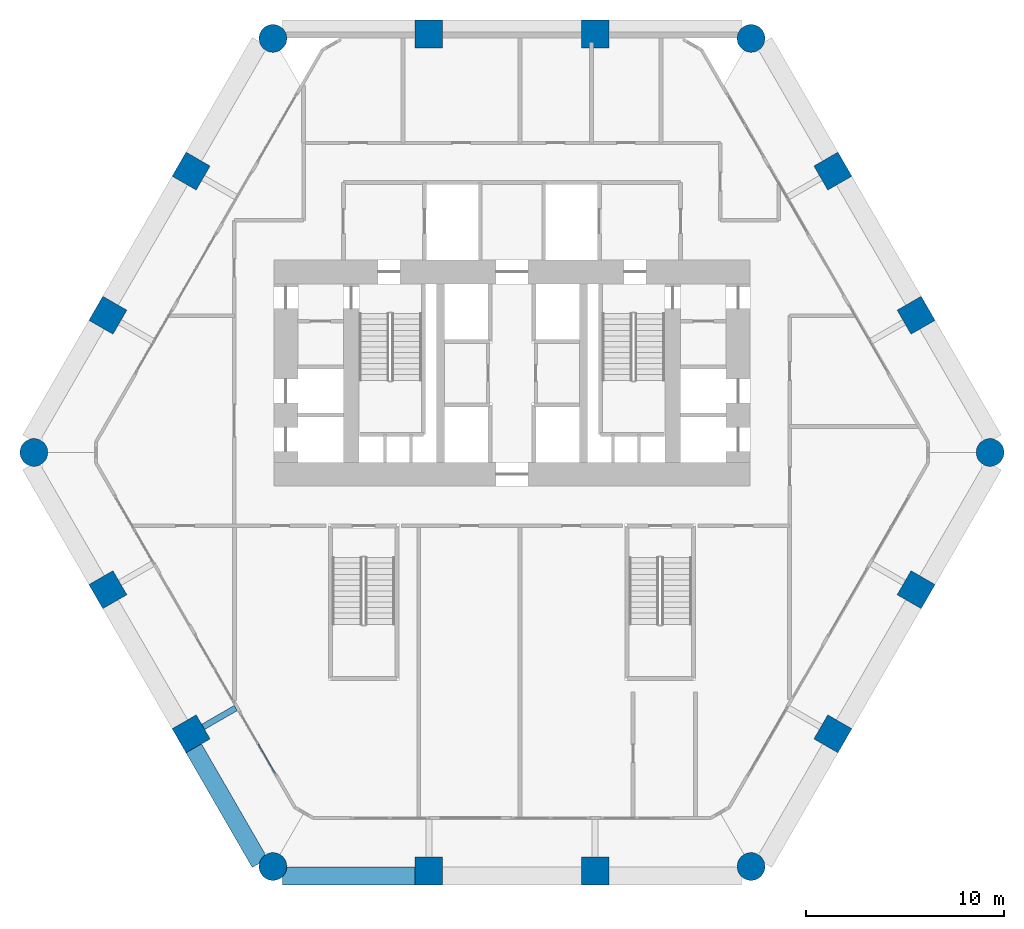
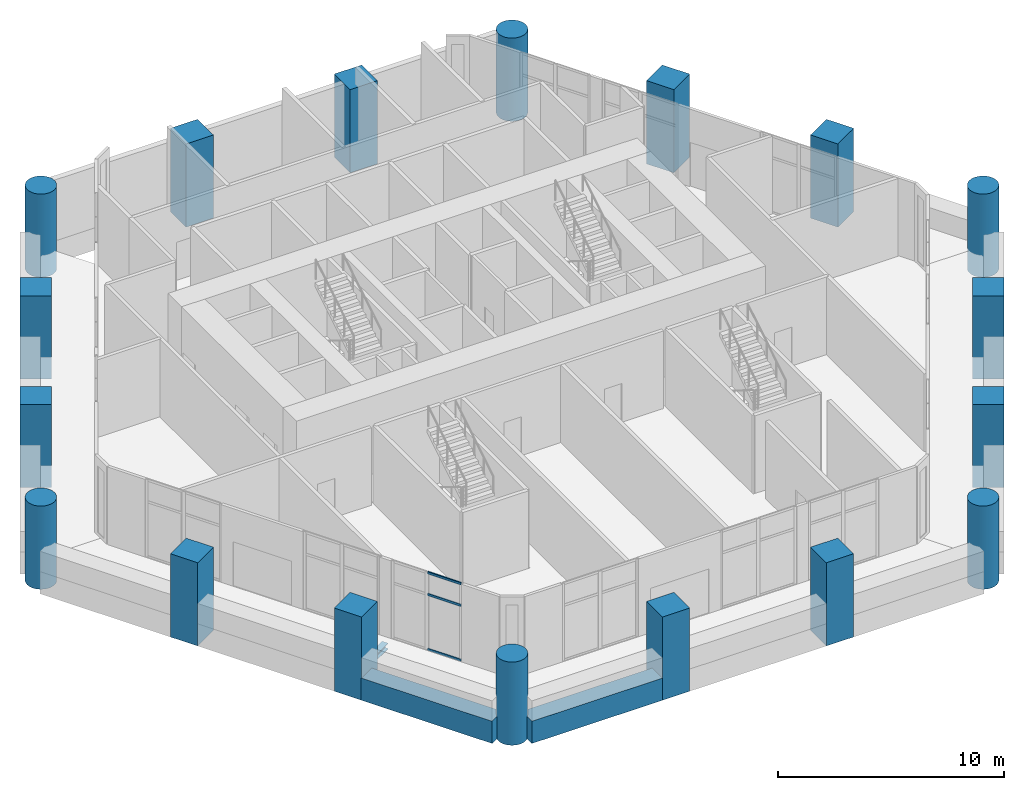
# One storey, part 1 of 18: 18 columns, 3 beams, 3 members, 1 element without a shape of its own.
"""IFC4 building model written with IfcOpenShell, lengths in metres."""

from ifc_helpers import new_model, si_unit, direction, frame, origin, origin_2d, place, context, subcontext, project, spatial, rectangle, hollow_rectangle, circle, i_section, extrude, material, material_profile, profile_set, type_object, element, aggregate, save


model = new_model("IFC4")

# Units and contexts
model_context = context("Model", 3, precision=1e-05, world=origin(), true_north=direction((0.0, 1.0)))
body_context = subcontext(model_context, "Body", "Model", "MODEL_VIEW")
ifc_project = project(units=[si_unit("LENGTHUNIT", "METRE"), si_unit("AREAUNIT", "SQUARE_METRE"), si_unit("VOLUMEUNIT", "CUBIC_METRE"), si_unit("PLANEANGLEUNIT", "RADIAN"), si_unit("MASSUNIT", "GRAM", prefix="KILO")], contexts=[model_context])

# Site, building, storey
site_placement = place(None, origin())
site = spatial("IfcSite", under=ifc_project, at=site_placement, CompositionType="ELEMENT")
building_placement = place(site_placement, origin())
building = spatial("IfcBuilding", under=site, at=building_placement, Name="Ostrander Bayou Hotel Tower", CompositionType="ELEMENT")
storey_placement = place(building_placement, frame((0.0, 0.0, 14.5)))
storey = spatial("IfcBuildingStorey", under=building, at=storey_placement, Name="L03", CompositionType="ELEMENT", Elevation=14.5)

# Columns
ifc_material_1 = material(Name="Concrete f'c 70 MPa", Category="concrete")
ifc_material_profile_1 = material_profile(ifc_material_1, circle(Radius=0.699951171875, at=origin_2d()))
ifc_profile_set_1 = profile_set([ifc_material_profile_1], Name="Concrete f'c 70 MPa")
column_type_1 = type_object("IfcColumnType", Name="C1 round column 1400 mm f'c 70 MPa", PredefinedType="COLUMN", material=ifc_profile_set_1)
for number, where, z_axis, x_axis, name in (
    (1, (-12.050537109375, 20.872314453125, -1.199951171875), (0.0, 0.0, 1.0), (1.0, 0.0, 0.0), "C1 L03 K0"),
    (2, (-24.101318359375, 0.0, -1.199951171875), (0.0, 0.0, 1.0), (1.0, 0.0, 0.0), "C1 L03 K1"),
    (3, (-12.050537109375, -20.872314453125, -1.199951171875), (0.0, 0.0, 1.0), (1.0, 0.0, 0.0), "C1 L03 K2"),
    (4, (12.050537109375, -20.872314453125, -1.199951171875), (0.0, 0.0, 1.0), (1.0, 0.0, 0.0), "C1 L03 K3"),
    (5, (24.101318359375, 0.0, -1.199951171875), (0.0, 0.0, 1.0), (1.0, 0.0, 0.0), "C1 L03 K4"),
    (6, (12.050537109375, 20.872314453125, -1.199951171875), (0.0, 0.0, 1.0), (1.0, 0.0, 0.0), "C1 L03 K5"),
):
    element("IfcColumn", number, at=place(storey_placement, frame(where, z_axis=z_axis, x_axis=x_axis)), inside=storey, type_object=column_type_1, Name=name, PredefinedType="COLUMN", context=body_context, shape_type="SweptSolid", body=[
        extrude(circle(Radius=0.699951171875, at=origin_2d()), origin(), (0.0, 0.0, 1.0), 4.5),
    ])
ifc_material_2 = material(Name="Concrete f'c 70 MPa", Category="concrete")
ifc_material_profile_2 = material_profile(ifc_material_2, rectangle(XDim=1.39990234375, YDim=1.39990234375, at=origin_2d()))
ifc_profile_set_2 = profile_set([ifc_material_profile_2], Name="Concrete f'c 70 MPa")
column_type_2 = type_object("IfcColumnType", Name="C2 square column 1400 x 1400 mm f'c 70 MPa", PredefinedType="COLUMN", material=ifc_profile_set_2)
for number, where, z_axis, x_axis, name in (
    (7, (4.1953125, 21.10009765625, -1.199951171875), (0.0, 0.0, 1.0), (1.0, 0.0, 0.0), "C2 L03 N1"),
    (8, (-4.1953125, 21.10009765625, -1.199951171875), (0.0, 0.0, 1.0), (1.0, 0.0, 0.0), "C2 L03 N2"),
    (9, (-16.17529296875, 14.183349609375, -1.199951171875), (0.0, 0.0, 1.0), (0.5, 0.866025403784, 0.0), "C2 L03 NW1"),
    (10, (-20.370849609375, 6.916748046875, -1.199951171875), (0.0, 0.0, 1.0), (0.5, 0.866025403784, 0.0), "C2 L03 NW2"),
    (11, (-20.370849609375, -6.916748046875, -1.199951171875), (0.0, 0.0, 1.0), (-0.5, 0.866025403784, 0.0), "C2 L03 SW1"),
    (12, (-16.17529296875, -14.183349609375, -1.199951171875), (0.0, 0.0, 1.0), (-0.5, 0.866025403784, 0.0), "C2 L03 SW2"),
    (13, (-4.1953125, -21.10009765625, -1.199951171875), (0.0, 0.0, 1.0), (-1.0, 0.0, 0.0), "C2 L03 S1"),
    (14, (4.1953125, -21.10009765625, -1.199951171875), (0.0, 0.0, 1.0), (-1.0, 0.0, 0.0), "C2 L03 S2"),
    (15, (16.17529296875, -14.183349609375, -1.199951171875), (0.0, 0.0, 1.0), (-0.5, -0.866025403784, 0.0), "C2 L03 SE1"),
    (16, (20.370849609375, -6.916748046875, -1.199951171875), (0.0, 0.0, 1.0), (-0.5, -0.866025403784, 0.0), "C2 L03 SE2"),
    (17, (20.370849609375, 6.916748046875, -1.199951171875), (0.0, 0.0, 1.0), (0.5, -0.866025403784, 0.0), "C2 L03 NE1"),
    (18, (16.17529296875, 14.183349609375, -1.199951171875), (0.0, 0.0, 1.0), (0.5, -0.866025403784, 0.0), "C2 L03 NE2"),
):
    element("IfcColumn", number, at=place(storey_placement, frame(where, z_axis=z_axis, x_axis=x_axis)), inside=storey, type_object=column_type_2, Name=name, PredefinedType="COLUMN", context=body_context, shape_type="SweptSolid", body=[
        extrude(rectangle(XDim=1.39990234375, YDim=1.39990234375, at=origin_2d()), origin(), (0.0, 0.0, 1.0), 4.5),
    ])

# Curtain wall, members
ifc_material_3 = material(Name="Aluminium and clear glass", Category="aluminium")
curtain_wall_type = type_object("IfcCurtainWallType", Name="CW-SKY amenity glass wall", PredefinedType="NOTDEFINED", material=ifc_material_3)
curtain_wall_placement = place(storey_placement, origin())
curtain_wall = element("IfcCurtainWall", 19, at=curtain_wall_placement, inside=storey, type_object=curtain_wall_type, Name="CW-SKY L03 SW 4", PredefinedType="NOTDEFINED")
ifc_material_4 = material(Name="Aluminium", Category="aluminium")
ifc_material_profile_3 = material_profile(ifc_material_4, hollow_rectangle(XDim=0.06005859375, YDim=0.1201171875, WallThickness=0.00390625, at=origin_2d()))
ifc_profile_set_3 = profile_set([ifc_material_profile_3], Name="Aluminium")
member_type = type_object("IfcMemberType", Name="CW-SK transom 60 x 120 mm", PredefinedType="USERDEFINED", material=ifc_profile_set_3)
member_1_placement = place(storey_placement, frame((-12.79150390625, -14.6943359375, 0.030029296875), z_axis=(0.499977863513, -0.866038183914, 0.0), x_axis=(0.866038183914, 0.499977863513, 0.0)))
member_1 = element("IfcMember", 20, at=member_1_placement, type_object=member_type, Name="CW-SKY transom 2.1", ObjectType="TRANSOM", PredefinedType="USERDEFINED", context=body_context, shape_type="SweptSolid", body=[
    extrude(hollow_rectangle(XDim=0.06005859375, YDim=0.1201171875, WallThickness=0.00390625, at=origin_2d()), origin(), (0.0, 0.0, 1.0), 1.7099609375),
])
member_2_placement = place(storey_placement, frame((-12.79150390625, -14.6943359375, 3.0), z_axis=(0.499977863513, -0.866038183914, 0.0), x_axis=(0.866038183914, 0.499977863513, 0.0)))
member_2 = element("IfcMember", 21, at=member_2_placement, type_object=member_type, Name="CW-SKY transom 2.2", ObjectType="TRANSOM", PredefinedType="USERDEFINED", context=body_context, shape_type="SweptSolid", body=[
    extrude(hollow_rectangle(XDim=0.06005859375, YDim=0.1201171875, WallThickness=0.00390625, at=origin_2d()), origin(), (0.0, 0.0, 1.0), 1.7099609375),
])
member_3_placement = place(storey_placement, frame((-12.79150390625, -14.6943359375, 4.169921875), z_axis=(0.499977863513, -0.866038183914, 0.0), x_axis=(0.866038183914, 0.499977863513, 0.0)))
member_3 = element("IfcMember", 22, at=member_3_placement, type_object=member_type, Name="CW-SKY transom 2.3", ObjectType="TRANSOM", PredefinedType="USERDEFINED", context=body_context, shape_type="SweptSolid", body=[
    extrude(hollow_rectangle(XDim=0.06005859375, YDim=0.1201171875, WallThickness=0.00390625, at=origin_2d()), origin(), (0.0, 0.0, 1.0), 1.7099609375),
])
aggregate(curtain_wall, [member_1, member_2, member_3])

# Beams
ifc_material_5 = material(Name="Steel ASTM A992", Category="steel")
ifc_material_profile_4 = material_profile(ifc_material_5, i_section(OverallWidth=0.3046875, OverallDepth=0.307861328125, WebThickness=0.010009765625, FlangeThickness=0.015380859375, at=origin_2d()))
ifc_profile_set_4 = profile_set([ifc_material_profile_4], Name="Steel ASTM A992")
beam_type_1 = type_object("IfcBeamType", Name="LB1 loggia bracket W12x65", PredefinedType="BEAM", material=ifc_profile_set_4)
beam_placement = place(storey_placement, frame((-15.569091796875, -13.833251953125, -0.453857421875), z_axis=(0.86601224135, 0.500022797313, 0.0), x_axis=(-0.500022797313, 0.86601224135, 0.0)))
element("IfcBeam", 23, at=beam_placement, inside=storey, type_object=beam_type_1, Name="LB1 L03 SW2", PredefinedType="BEAM", context=body_context, shape_type="SweptSolid", body=[
    extrude(i_section(OverallWidth=0.3046875, OverallDepth=0.307861328125, WebThickness=0.010009765625, FlangeThickness=0.015380859375, at=origin_2d()), origin(), (0.0, 0.0, 1.0), 1.89990234375),
])
ifc_material_6 = material(Name="Concrete f'c 70 MPa", Category="concrete")
ifc_material_profile_5 = material_profile(ifc_material_6, rectangle(XDim=0.89990234375, YDim=1.199951171875, at=origin_2d()))
ifc_profile_set_5 = profile_set([ifc_material_profile_5], Name="Concrete f'c 70 MPa")
beam_type_2 = type_object("IfcBeamType", Name="SP1 spandrel beam 900 x 1200 mm f'c 70 MPa", PredefinedType="SPANDREL", material=ifc_profile_set_5)
for number, where, z_axis, x_axis, name in (
    (24, (-16.056884765625, -14.888671875, -0.60009765625), (0.500005133765, -0.866022439784, 0.0), (0.866022439784, 0.500005133765, 0.0), "SP1 L03 SW-3"),
    (25, (-11.569091796875, -21.35009765625, -0.60009765625), (1.0, 0.0, 0.0), (0.0, 1.0, 0.0), "SP1 L03 S-1"),
):
    element("IfcBeam", number, at=place(storey_placement, frame(where, z_axis=z_axis, x_axis=x_axis)), inside=storey, type_object=beam_type_2, Name=name, PredefinedType="SPANDREL", context=body_context, shape_type="SweptSolid", body=[
        extrude(rectangle(XDim=0.89990234375, YDim=1.199951171875, at=origin_2d()), origin(), (0.0, 0.0, 1.0), 6.70361328125),
    ])

save(model, "model.ifc")
